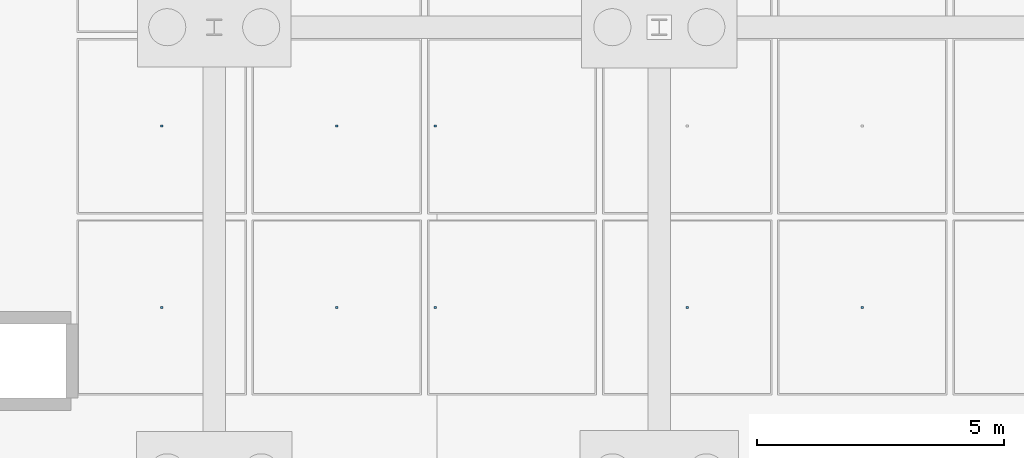
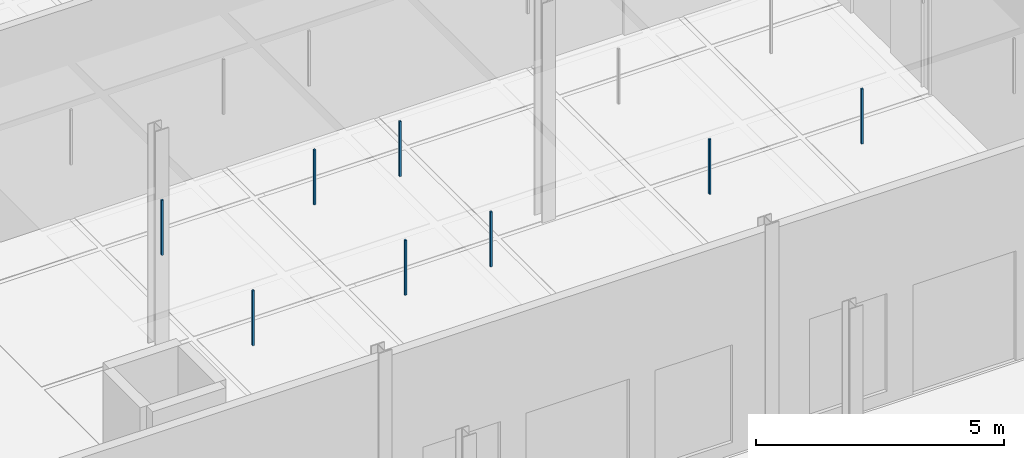
# One storey, part 146 of 180: 8 discrete accessories.
"""IFC4 building model written with IfcOpenShell, lengths in metres."""

from ifc_helpers import new_model, si_unit, direction, frame, origin, origin_2d, place, context, subcontext, project, spatial, rectangle, extrude, material, type_object, element, save


model = new_model("IFC4")

# Units and contexts
model_context = context("Model", 3, precision=1e-05, world=origin(), true_north=direction((0.0, 1.0)))
body_context = subcontext(model_context, "Body", "Model", "MODEL_VIEW")
ifc_project = project(units=[si_unit("LENGTHUNIT", "METRE"), si_unit("AREAUNIT", "SQUARE_METRE"), si_unit("VOLUMEUNIT", "CUBIC_METRE"), si_unit("PLANEANGLEUNIT", "RADIAN"), si_unit("MASSUNIT", "GRAM", prefix="KILO"), si_unit("THERMODYNAMICTEMPERATUREUNIT", "KELVIN"), si_unit("POWERUNIT", "WATT")], contexts=[model_context])

# Site, building, storey
site_placement = place(None, origin())
site = spatial("IfcSite", under=ifc_project, at=site_placement, CompositionType="ELEMENT")
building_placement = place(site_placement, origin())
building = spatial("IfcBuilding", under=site, at=building_placement, Name="Tallowbark Science Centre", CompositionType="ELEMENT")
storey_placement = place(building_placement, origin())
storey = spatial("IfcBuildingStorey", under=building, at=storey_placement, Name="L00", CompositionType="ELEMENT", Elevation=0.0)

# Discrete accessories
ifc_material = material(Name="Galvanised Steel Grade C350L0 (350 MPa)", Category="steel")
discrete_accessory_type = type_object("IfcDiscreteAccessoryType", Name="ACC-CLG-HNG", PredefinedType="BRACKET", material=ifc_material)
for number, where, z_axis, x_axis, name in (
    (1, (129.4375, 3.333251953125, 3.8095703125), (0.0, 0.0, 1.0), (1.0, 0.0, 0.0), "Ceiling Hanger Bracket L00-225"),
    (2, (129.4375, 7.0, 3.8095703125), (0.0, 0.0, 1.0), (1.0, 0.0, 0.0), "Ceiling Hanger Bracket L00-226"),
    (3, (132.979248046875, 3.333251953125, 3.8095703125), (0.0, 0.0, 1.0), (1.0, 0.0, 0.0), "Ceiling Hanger Bracket L00-234"),
    (4, (132.979248046875, 7.0, 3.8095703125), (0.0, 0.0, 1.0), (1.0, 0.0, 0.0), "Ceiling Hanger Bracket L00-235"),
    (5, (134.969970703125, 3.333251953125, 3.8095703125), (0.0, 0.0, 1.0), (1.0, 0.0, 0.0), "Ceiling Hanger Bracket L00-243"),
    (6, (134.969970703125, 7.0, 3.8095703125), (0.0, 0.0, 1.0), (1.0, 0.0, 0.0), "Ceiling Hanger Bracket L00-244"),
    (7, (140.0625, 3.333251953125, 3.8095703125), (0.0, 0.0, 1.0), (1.0, 0.0, 0.0), "Ceiling Hanger Bracket L00-252"),
    (8, (143.604248046875, 3.333251953125, 3.8095703125), (0.0, 0.0, 1.0), (1.0, 0.0, 0.0), "Ceiling Hanger Bracket L00-261"),
):
    element("IfcDiscreteAccessory", number, at=place(storey_placement, frame(where, z_axis=z_axis, x_axis=x_axis)), inside=storey, type_object=discrete_accessory_type, Name=name, PredefinedType="BRACKET", context=body_context, shape_type="SweptSolid", body=[
        extrude(rectangle(XDim=0.044921875, YDim=0.044921875, at=origin_2d()), origin(), (0.0, 0.0, 1.0), 1.353515625),
    ])

save(model, "model.ifc")
